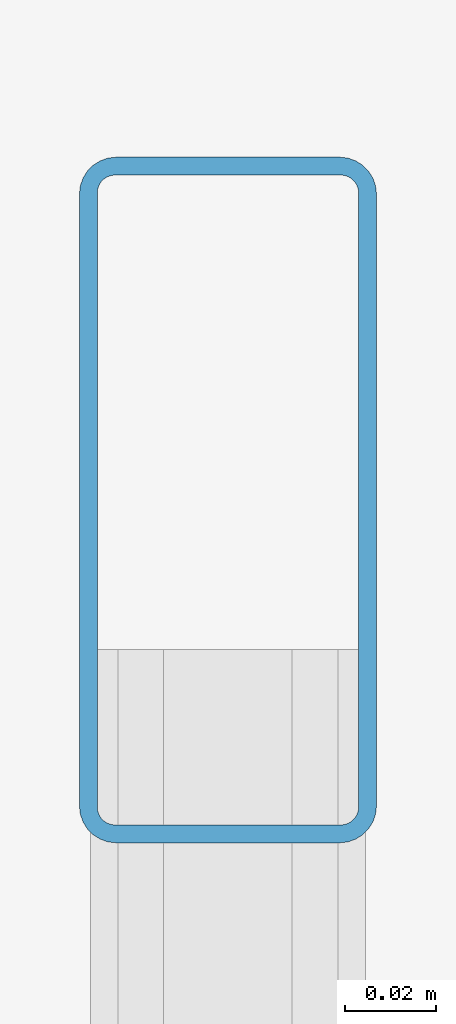
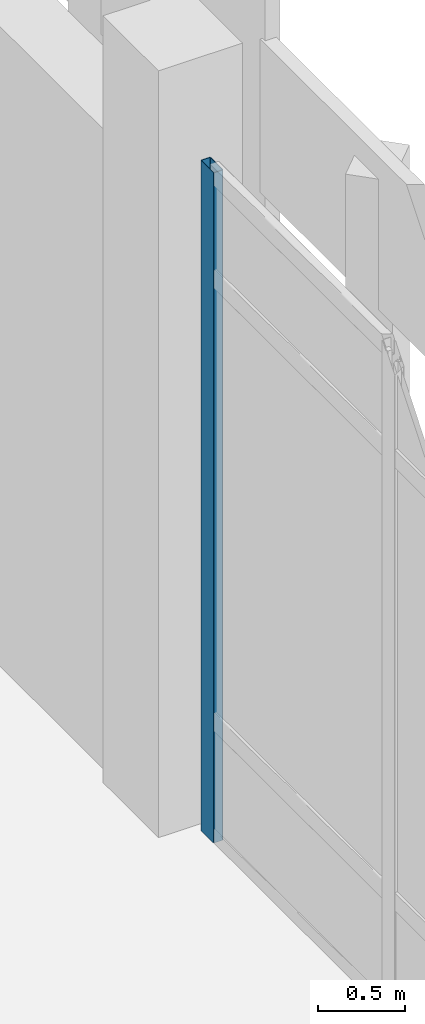
# One storey, part 68 of 109: 1 member, 1 element without a shape of its own.
"""IFC4 building model written with IfcOpenShell, lengths in metres."""

from ifc_helpers import new_model, si_unit, direction, frame, origin, origin_2d, place, context, subcontext, project, spatial, hollow_rectangle, extrude, material, material_profile, profile_set, type_object, element, aggregate, save


model = new_model("IFC4")

# Units and contexts
model_context = context("Model", 3, precision=1e-05, world=origin(), true_north=direction((0.0, 1.0)))
body_context = subcontext(model_context, "Body", "Model", "MODEL_VIEW")
ifc_project = project(units=[si_unit("LENGTHUNIT", "METRE"), si_unit("AREAUNIT", "SQUARE_METRE"), si_unit("VOLUMEUNIT", "CUBIC_METRE"), si_unit("PLANEANGLEUNIT", "RADIAN"), si_unit("MASSUNIT", "GRAM", prefix="KILO")], contexts=[model_context])

# Site, building, storey
site_placement = place(None, origin())
site = spatial("IfcSite", under=ifc_project, at=site_placement, CompositionType="ELEMENT")
building_placement = place(site_placement, origin())
building = spatial("IfcBuilding", under=site, at=building_placement, Name="Lusvemor Sports Hall", CompositionType="ELEMENT")
storey_placement = place(building_placement, origin())
storey = spatial("IfcBuildingStorey", under=building, at=storey_placement, Name="L00", CompositionType="ELEMENT", Elevation=0.0)

# Curtain wall, member
ifc_material_1 = material(Name="Thermally broken bronze-anodized aluminium", Category="aluminium")
curtain_wall_type = type_object("IfcCurtainWallType", Name="CW_WING_B", PredefinedType="NOTDEFINED", material=ifc_material_1)
curtain_wall_placement = place(storey_placement, origin())
curtain_wall = element("IfcCurtainWall", 1, at=curtain_wall_placement, inside=storey, type_object=curtain_wall_type, Name="Curtain Wall CW-L00-E-2-0", PredefinedType="NOTDEFINED")
ifc_material_2 = material(Name="Thermally broken bronze-anodized aluminium", Category="aluminium")
ifc_material_profile = material_profile(ifc_material_2, hollow_rectangle(XDim=0.06494140625, YDim=0.14990234375, WallThickness=0.00390625, InnerFilletRadius=0.00390625, OuterFilletRadius=0.008056640625, at=origin_2d()), Name="CWMUL150x65x4")
ifc_profile_set = profile_set([ifc_material_profile], Name="Thermally broken bronze-anodized aluminium")
member_type = type_object("IfcMemberType", Name="CW_MUL_B", PredefinedType="MULLION", material=ifc_profile_set)
member_placement = place(storey_placement, frame((169.199951171875, 89.547607421875, 0.0), z_axis=(0.0, 0.0, 1.0), x_axis=(1.0, 0.0, 0.0)))
member = element("IfcMember", 2, at=member_placement, type_object=member_type, Name="CW02 mullion 1", PredefinedType="MULLION", context=body_context, shape_type="SweptSolid", body=[
    extrude(hollow_rectangle(XDim=0.06494140625, YDim=0.14990234375, WallThickness=0.00390625, InnerFilletRadius=0.00390625, OuterFilletRadius=0.008056640625, at=origin_2d()), origin(), (0.0, 0.0, 1.0), 4.719970703125),
])
aggregate(curtain_wall, [member])

save(model, "model.ifc")
